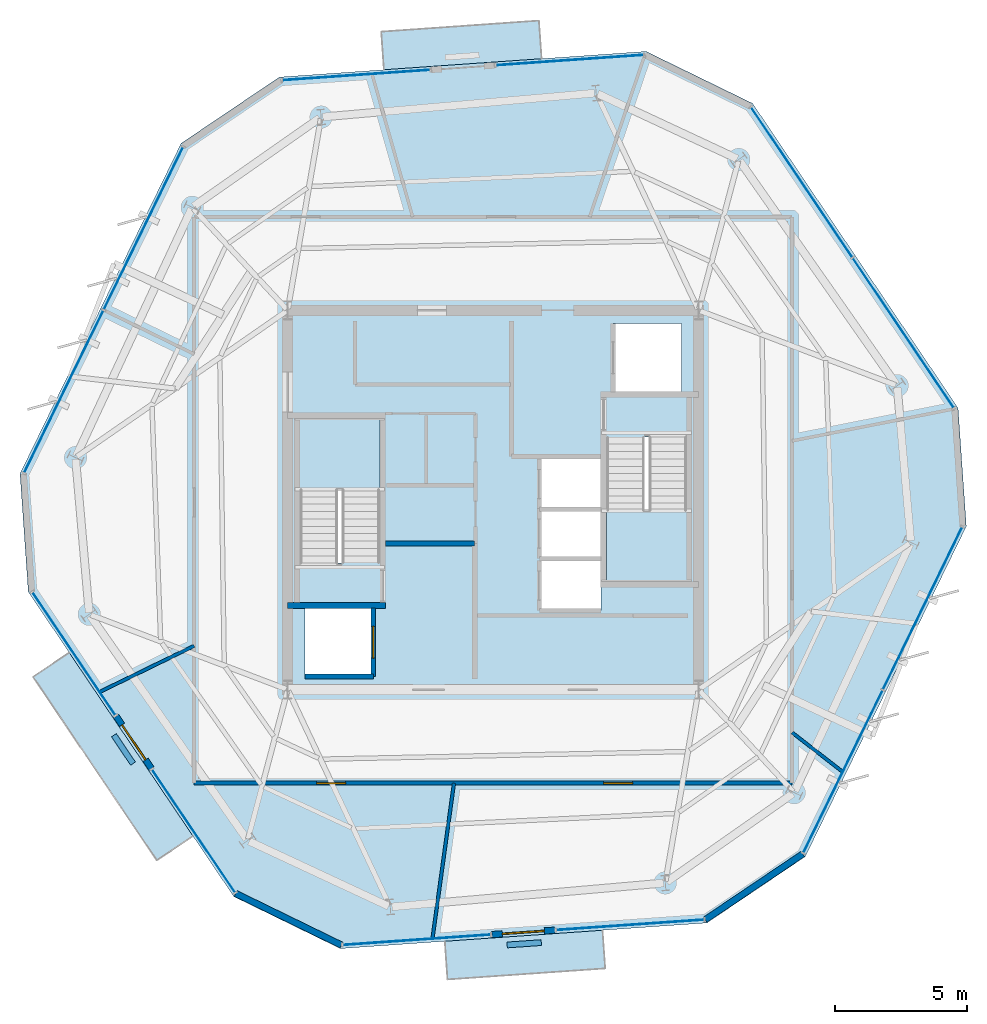
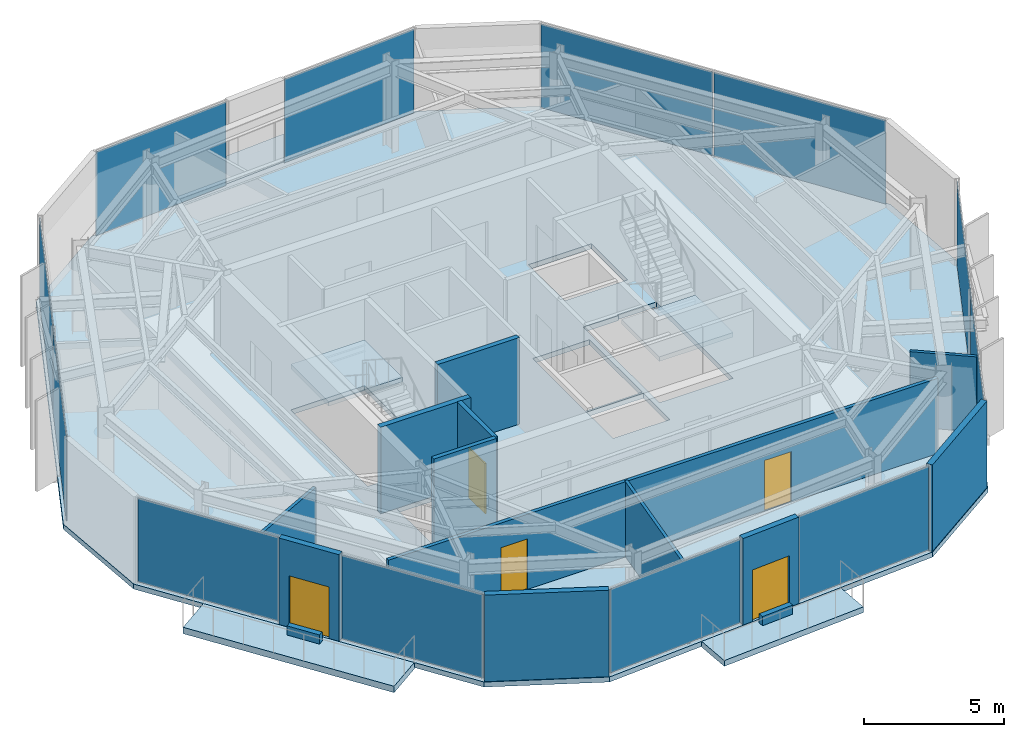
# One storey, part 6 of 13: 14 walls, 12 plates, 6 slabs, 5 doors, 5 openings, 11 elements without a shape of their own.
"""IFC4 building model written with IfcOpenShell, lengths in metres."""

from ifc_helpers import new_model, si_unit, direction, frame, frame_2d, origin, origin_2d, place, context, subcontext, project, spatial, polyline, rectangle, outline, extrude, material, layer, layer_set, type_object, element, fill, aggregate, save


model = new_model("IFC4")

# Units and contexts
model_context = context("Model", 3, precision=1e-05, world=origin(), true_north=direction((0.0, 1.0)))
body_context = subcontext(model_context, "Body", "Model", "MODEL_VIEW")
ifc_project = project(units=[si_unit("LENGTHUNIT", "METRE"), si_unit("AREAUNIT", "SQUARE_METRE"), si_unit("VOLUMEUNIT", "CUBIC_METRE"), si_unit("PLANEANGLEUNIT", "RADIAN"), si_unit("MASSUNIT", "GRAM", prefix="KILO")], contexts=[model_context])

# Site, building, storey
site_placement = place(None, origin())
site = spatial("IfcSite", under=ifc_project, at=site_placement, CompositionType="ELEMENT")
building_placement = place(site_placement, origin())
building = spatial("IfcBuilding", under=site, at=building_placement, Name="Kranzbogen Civic Tower", CompositionType="ELEMENT")
storey_placement = place(building_placement, frame((0.0, 0.0, 282.199951171875)))
storey = spatial("IfcBuildingStorey", under=building, at=storey_placement, Name="L68", CompositionType="ELEMENT", Elevation=282.199951171875)

# Slab
ifc_material_1 = material(Name="Concrete C40/50", Category="concrete")
ifc_layer_1 = layer(ifc_material_1, 0.219970703125, Name="Concrete C40/50")
ifc_layer_set_1 = layer_set([ifc_layer_1], Name="Concrete C40/50")
slab_type_1 = type_object("IfcSlabType", Name="Composite Upper Tower Floor Slab 220 mm", PredefinedType="FLOOR", material=ifc_layer_set_1)
slab_1_placement = place(storey_placement, frame((0.0, 0.0, -0.219970703125)))
element("IfcSlab", 1, at=slab_1_placement, inside=storey, type_object=slab_type_1, Name="L68 tower floor slab", PredefinedType="FLOOR", context=body_context, shape_type="SweptSolid", body=[
    extrude(outline(polyline([(30.802978515625, 42.030029296875), (16.884033203125, 41.055908203125), (13.153076171875, 38.5400390625), (7.037109375, 25.9990234375), (7.35009765625, 21.510009765625), (15.153076171875, 9.943115234375), (19.197021484375, 7.969970703125), (33.115966796875, 8.944091796875), (36.846923828125, 11.4599609375), (42.962890625, 24.0009765625), (42.64990234375, 28.489990234375), (34.846923828125, 40.056884765625), (30.802978515625, 42.030029296875)]), holes=[polyline([(17.85009765625, 20.89990234375), (20.449951171875, 20.89990234375), (20.449951171875, 18.300048828125), (17.85009765625, 18.300048828125), (17.85009765625, 20.89990234375)]), polyline([(29.10009765625, 22.699951171875), (29.10009765625, 20.800048828125), (26.75, 20.800048828125), (26.75, 22.699951171875), (29.10009765625, 22.699951171875)]), polyline([(29.10009765625, 24.64990234375), (29.10009765625, 22.77490234375), (26.75, 22.77490234375), (26.75, 24.64990234375), (26.75, 24.675048828125), (26.75, 26.550048828125), (29.10009765625, 26.550048828125), (29.10009765625, 24.675048828125), (29.10009765625, 24.64990234375)]), polyline([(29.300048828125, 27.340087890625), (30.75, 27.340087890625), (30.75, 27.39990234375), (32.35009765625, 27.39990234375), (32.35009765625, 21.89990234375), (29.300048828125, 21.89990234375), (29.300048828125, 27.340087890625)]), polyline([(20.699951171875, 22.659912109375), (19.25, 22.659912109375), (19.25, 22.60009765625), (17.64990234375, 22.60009765625), (17.64990234375, 28.10009765625), (20.699951171875, 28.10009765625), (20.699951171875, 22.659912109375)]), polyline([(32.14990234375, 31.699951171875), (32.14990234375, 29.10009765625), (29.550048828125, 29.10009765625), (29.550048828125, 31.699951171875), (32.14990234375, 31.699951171875)])]), origin(), (0.0, 0.0, 1.0), 0.219970703125),
])

# Curtain wall, plate
ifc_material_2 = material(Name="Pale Anodised Aluminium", Category="aluminium")
ifc_layer_2 = layer(ifc_material_2, 0.219970703125, Name="Pale Anodised Aluminium")
ifc_layer_set_2 = layer_set([ifc_layer_2], Name="Pale Anodised Aluminium")
curtain_wall_type = type_object("IfcCurtainWallType", Name="Zone 4 Stick Curtain Wall System CW-05", PredefinedType="USERDEFINED", material=ifc_layer_set_2)
curtain_wall_1_placement = place(storey_placement, origin())
curtain_wall_1 = element("IfcCurtainWall", 2, at=curtain_wall_1_placement, inside=storey, type_object=curtain_wall_type, Name="L68 curtain wall CW-L68-F1-S1", ObjectType="STICK CURTAIN WALL", PredefinedType="USERDEFINED")
ifc_material_3 = material(Name="Low-E Triple Glazing Glass", Category="glass")
ifc_layer_3 = layer(ifc_material_3, 0.028076171875, Name="Low-E Triple Glazing Glass")
ifc_layer_set_3 = layer_set([ifc_layer_3], Name="Low-E Triple Glazing Glass")
plate_type = type_object("IfcPlateType", Name="Insulated Low-E Glazing Panel 28 mm", PredefinedType="CURTAIN_PANEL", material=ifc_layer_set_3)
plate_1_placement = place(storey_placement, frame((27.903564453125, 41.697509765625, 0.06005859375), z_axis=(0.0, 0.0, 1.0), x_axis=(-0.997566629401, -0.069719580503, 0.0)))
plate_1 = element("IfcPlate", 3, at=plate_1_placement, type_object=plate_type, Name="CW-05 panel 1.1", PredefinedType="CURTAIN_PANEL", context=body_context, shape_type="SweptSolid", body=[
    extrude(rectangle(XDim=5.60302734375, YDim=0.028076171875, at=origin_2d()), origin(), (0.0, 0.0, 1.0), 3.659912109375),
])
aggregate(curtain_wall_1, [plate_1])

curtain_wall_2_placement = place(storey_placement, origin())
curtain_wall_2 = element("IfcCurtainWall", 4, at=curtain_wall_2_placement, inside=storey, type_object=curtain_wall_type, Name="L68 curtain wall CW-L68-F1-S2", ObjectType="STICK CURTAIN WALL", PredefinedType="USERDEFINED")
plate_2_placement = place(storey_placement, frame((19.801025390625, 41.130615234375, 0.06005859375), z_axis=(0.0, 0.0, 1.0), x_axis=(-0.997565779819, -0.069731735481, 0.0)))
plate_2 = element("IfcPlate", 5, at=plate_2_placement, type_object=plate_type, Name="CW-05 panel 1.1", PredefinedType="CURTAIN_PANEL", context=body_context, shape_type="SweptSolid", body=[
    extrude(rectangle(XDim=5.601806640625, YDim=0.028076171875, at=origin_2d()), origin(), (0.0, 0.0, 1.0), 3.659912109375),
])
aggregate(curtain_wall_2, [plate_2])

# Curtain wall, plates
curtain_wall_3_placement = place(storey_placement, origin())
curtain_wall_3 = element("IfcCurtainWall", 6, at=curtain_wall_3_placement, inside=storey, type_object=curtain_wall_type, Name="L68 curtain wall CW-L68-F2", ObjectType="STICK CURTAIN WALL", PredefinedType="USERDEFINED")
plate_3_placement = place(storey_placement, frame((11.721435546875, 35.310546875, 0.06005859375), z_axis=(0.0, 0.0, 1.0), x_axis=(-0.438292703672, -0.898832301327, 0.0)))
plate_3 = element("IfcPlate", 7, at=plate_3_placement, type_object=plate_type, Name="CW-05 panel 1.1", PredefinedType="CURTAIN_PANEL", context=body_context, shape_type="SweptSolid", body=[
    extrude(rectangle(XDim=6.832275390625, YDim=0.028076171875, at=origin_2d()), origin(), (0.0, 0.0, 1.0), 3.659912109375),
])
plate_4_placement = place(storey_placement, frame((8.70068359375, 29.115478515625, 0.06005859375), z_axis=(0.0, 0.0, 1.0), x_axis=(-0.438292703672, -0.898832301327, 0.0)))
plate_4 = element("IfcPlate", 8, at=plate_4_placement, type_object=plate_type, Name="CW-05 panel 2.1", PredefinedType="CURTAIN_PANEL", context=body_context, shape_type="SweptSolid", body=[
    extrude(rectangle(XDim=6.832275390625, YDim=0.028076171875, at=origin_2d()), origin(), (0.0, 0.0, 1.0), 3.659912109375),
])
aggregate(curtain_wall_3, [plate_3, plate_4])

# Curtain wall, plate
curtain_wall_4_placement = place(storey_placement, origin())
curtain_wall_4 = element("IfcCurtainWall", 9, at=curtain_wall_4_placement, inside=storey, type_object=curtain_wall_type, Name="L68 curtain wall CW-L68-F3-S1", ObjectType="STICK CURTAIN WALL", PredefinedType="USERDEFINED")
plate_5_placement = place(storey_placement, frame((9.0869140625, 19.16552734375, 0.06005859375), z_axis=(0.0, 0.0, 1.0), x_axis=(0.5592897334, -0.828972251715, 0.0)))
plate_5 = element("IfcPlate", 10, at=plate_5_placement, type_object=plate_type, Name="CW-05 panel 1.1", PredefinedType="CURTAIN_PANEL", context=body_context, shape_type="SweptSolid", body=[
    extrude(rectangle(XDim=5.6015625, YDim=0.028076171875, at=origin_2d()), origin(), (0.0, 0.0, 1.0), 3.659912109375),
])
aggregate(curtain_wall_4, [plate_5])

curtain_wall_5_placement = place(storey_placement, origin())
curtain_wall_5 = element("IfcCurtainWall", 11, at=curtain_wall_5_placement, inside=storey, type_object=curtain_wall_type, Name="L68 curtain wall CW-L68-F3-S2", ObjectType="STICK CURTAIN WALL", PredefinedType="USERDEFINED")
plate_6_placement = place(storey_placement, frame((13.62939453125, 12.431884765625, 0.06005859375), z_axis=(0.0, 0.0, 1.0), x_axis=(0.559328796554, -0.828945895307, 0.0)))
plate_6 = element("IfcPlate", 12, at=plate_6_placement, type_object=plate_type, Name="CW-05 panel 1.1", PredefinedType="CURTAIN_PANEL", context=body_context, shape_type="SweptSolid", body=[
    extrude(rectangle(XDim=5.60302734375, YDim=0.028076171875, at=origin_2d()), origin(), (0.0, 0.0, 1.0), 3.659912109375),
])
aggregate(curtain_wall_5, [plate_6])

curtain_wall_6_placement = place(storey_placement, origin())
curtain_wall_6 = element("IfcCurtainWall", 13, at=curtain_wall_6_placement, inside=storey, type_object=curtain_wall_type, Name="L68 curtain wall CW-L68-F4-S1", ObjectType="STICK CURTAIN WALL", PredefinedType="USERDEFINED")
plate_7_placement = place(storey_placement, frame((22.096435546875, 8.302490234375, 0.06005859375), z_axis=(0.0, 0.0, 1.0), x_axis=(0.997566629401, 0.069719580503, 0.0)))
plate_7 = element("IfcPlate", 14, at=plate_7_placement, type_object=plate_type, Name="CW-05 panel 1.1", PredefinedType="CURTAIN_PANEL", context=body_context, shape_type="SweptSolid", body=[
    extrude(rectangle(XDim=5.60302734375, YDim=0.028076171875, at=origin_2d()), origin(), (0.0, 0.0, 1.0), 3.659912109375),
])
aggregate(curtain_wall_6, [plate_7])

curtain_wall_7_placement = place(storey_placement, origin())
curtain_wall_7 = element("IfcCurtainWall", 15, at=curtain_wall_7_placement, inside=storey, type_object=curtain_wall_type, Name="L68 curtain wall CW-L68-F4-S2", ObjectType="STICK CURTAIN WALL", PredefinedType="USERDEFINED")
plate_8_placement = place(storey_placement, frame((30.198974609375, 8.869384765625, 0.06005859375), z_axis=(0.0, 0.0, 1.0), x_axis=(0.997565779819, 0.069731735481, 0.0)))
plate_8 = element("IfcPlate", 16, at=plate_8_placement, type_object=plate_type, Name="CW-05 panel 1.1", PredefinedType="CURTAIN_PANEL", context=body_context, shape_type="SweptSolid", body=[
    extrude(rectangle(XDim=5.601806640625, YDim=0.028076171875, at=origin_2d()), origin(), (0.0, 0.0, 1.0), 3.659912109375),
])
aggregate(curtain_wall_7, [plate_8])

# Curtain wall, plates
curtain_wall_8_placement = place(storey_placement, origin())
curtain_wall_8 = element("IfcCurtainWall", 17, at=curtain_wall_8_placement, inside=storey, type_object=curtain_wall_type, Name="L68 curtain wall CW-L68-F5", ObjectType="STICK CURTAIN WALL", PredefinedType="USERDEFINED")
plate_9_placement = place(storey_placement, frame((38.278564453125, 14.689453125, 0.06005859375), z_axis=(0.0, 0.0, 1.0), x_axis=(0.438292703672, 0.898832301327, 0.0)))
plate_9 = element("IfcPlate", 18, at=plate_9_placement, type_object=plate_type, Name="CW-05 panel 1.1", PredefinedType="CURTAIN_PANEL", context=body_context, shape_type="SweptSolid", body=[
    extrude(rectangle(XDim=6.832275390625, YDim=0.028076171875, at=origin_2d()), origin(), (0.0, 0.0, 1.0), 3.659912109375),
])
plate_10_placement = place(storey_placement, frame((41.29931640625, 20.884521484375, 0.06005859375), z_axis=(0.0, 0.0, 1.0), x_axis=(0.438292703672, 0.898832301327, 0.0)))
plate_10 = element("IfcPlate", 19, at=plate_10_placement, type_object=plate_type, Name="CW-05 panel 2.1", PredefinedType="CURTAIN_PANEL", context=body_context, shape_type="SweptSolid", body=[
    extrude(rectangle(XDim=6.832275390625, YDim=0.028076171875, at=origin_2d()), origin(), (0.0, 0.0, 1.0), 3.659912109375),
])
aggregate(curtain_wall_8, [plate_9, plate_10])

curtain_wall_9_placement = place(storey_placement, origin())
curtain_wall_9 = element("IfcCurtainWall", 20, at=curtain_wall_9_placement, inside=storey, type_object=curtain_wall_type, Name="L68 curtain wall CW-L68-F6", ObjectType="STICK CURTAIN WALL", PredefinedType="USERDEFINED")
plate_11_placement = place(storey_placement, frame((40.56884765625, 31.3447265625, 0.06005859375), z_axis=(0.0, 0.0, 1.0), x_axis=(-0.559275594958, 0.828981790442, 0.0)))
plate_11 = element("IfcPlate", 21, at=plate_11_placement, type_object=plate_type, Name="CW-05 panel 1.1", PredefinedType="CURTAIN_PANEL", context=body_context, shape_type="SweptSolid", body=[
    extrude(rectangle(XDim=6.832275390625, YDim=0.028076171875, at=origin_2d()), origin(), (0.0, 0.0, 1.0), 3.659912109375),
])
plate_12_placement = place(storey_placement, frame((36.714111328125, 37.058349609375, 0.06005859375), z_axis=(0.0, 0.0, 1.0), x_axis=(-0.559275594958, 0.828981790442, 0.0)))
plate_12 = element("IfcPlate", 22, at=plate_12_placement, type_object=plate_type, Name="CW-05 panel 2.1", PredefinedType="CURTAIN_PANEL", context=body_context, shape_type="SweptSolid", body=[
    extrude(rectangle(XDim=6.832275390625, YDim=0.028076171875, at=origin_2d()), origin(), (0.0, 0.0, 1.0), 3.659912109375),
])
aggregate(curtain_wall_9, [plate_11, plate_12])

# Stair, slab
ifc_material_4 = material(Name="Precast concrete C40/50", Category="concrete")
stair_type_1 = type_object("IfcStairType", Name="Tower Core Pressurized Dogleg Stair 1450", PredefinedType="HALF_TURN_STAIR", material=ifc_material_4)
stair_1_placement = place(storey_placement, origin())
stair_1 = element("IfcStair", 23, at=stair_1_placement, inside=storey, type_object=stair_type_1, Name="L68 Tower Core Pressurized Stair 1", PredefinedType="HALF_TURN_STAIR")
ifc_layer_4 = layer(ifc_material_4, 0.199951171875, Name="Precast concrete C40/50")
ifc_layer_set_4 = layer_set([ifc_layer_4], Name="Precast concrete C40/50")
slab_type_2 = type_object("IfcSlabType", Name="Precast Concrete Stair Landing Slab 200 mm", PredefinedType="LANDING", material=ifc_layer_set_4)
slab_2_placement = place(storey_placement, frame((0.0, 0.0, 1.800048828125)))
slab_2 = element("IfcSlab", 24, at=slab_2_placement, type_object=slab_type_2, Name="ST-T1 landing 1", PredefinedType="LANDING", context=body_context, shape_type="SweptSolid", body=[
    extrude(outline(polyline([(20.699951171875, 25.39990234375), (20.699951171875, 28.10009765625), (17.64990234375, 28.10009765625), (17.64990234375, 25.39990234375), (20.699951171875, 25.39990234375)])), origin(), (0.0, 0.0, 1.0), 0.199951171875),
])
aggregate(stair_1, [slab_2])

stair_type_2 = type_object("IfcStairType", Name="Tower Core Secondary Dogleg Stair 1450", PredefinedType="HALF_TURN_STAIR", material=ifc_material_4)
stair_2_placement = place(storey_placement, origin())
stair_2 = element("IfcStair", 25, at=stair_2_placement, inside=storey, type_object=stair_type_2, Name="L68 Tower Core Pressurized Stair 2", PredefinedType="HALF_TURN_STAIR")
slab_3_placement = place(storey_placement, frame((0.0, 0.0, 1.800048828125)))
slab_3 = element("IfcSlab", 26, at=slab_3_placement, type_object=slab_type_2, Name="ST-T2 landing 1", PredefinedType="LANDING", context=body_context, shape_type="SweptSolid", body=[
    extrude(outline(polyline([(29.300048828125, 24.60009765625), (29.300048828125, 21.89990234375), (32.35009765625, 21.89990234375), (32.35009765625, 24.60009765625), (29.300048828125, 24.60009765625)])), origin(), (0.0, 0.0, 1.0), 0.199951171875),
])
aggregate(stair_2, [slab_3])

# Slabs
ifc_layer_5 = layer(ifc_material_1, 0.280029296875, Name="Concrete C40/50")
ifc_layer_set_5 = layer_set([ifc_layer_5], Name="Concrete C40/50")
slab_type_3 = type_object("IfcSlabType", Name="Spiral Terrace Cantilevered Slab 280 mm", PredefinedType="FLOOR", material=ifc_layer_set_5)
slab_4_placement = place(storey_placement, frame((0.0, 0.0, -0.280029296875)))
element("IfcSlab", 27, at=slab_4_placement, inside=storey, type_object=slab_type_3, Name="L68 cantilevered spiral terrace L68-ST", PredefinedType="FLOOR", context=body_context, shape_type="SweptSolid", body=[
    extrude(outline(polyline([(8.903076171875, 19.208984375), (13.60009765625, 12.2451171875), (12.23193359375, 11.322021484375), (7.534912109375, 18.285888671875), (8.903076171875, 19.208984375)])), origin(), (0.0, 0.0, 1.0), 0.280029296875),
])
ifc_layer_6 = layer(ifc_material_1, 0.25, Name="Concrete C40/50")
ifc_layer_set_6 = layer_set([ifc_layer_6], Name="Concrete C40/50")
slab_type_4 = type_object("IfcSlabType", Name="Tree Balcony Cantilevered Slab 250 mm", PredefinedType="FLOOR", material=ifc_layer_set_6)
slab_5_placement = place(storey_placement, frame((0.0, 0.0, -0.25)))
element("IfcSlab", 28, at=slab_5_placement, inside=storey, type_object=slab_type_4, Name="L68 cantilevered tree balcony L68-TB1", PredefinedType="FLOOR", context=body_context, shape_type="SweptSolid", body=[
    extrude(outline(polyline([(23.1640625, 8.248046875), (29.14892578125, 8.666015625), (29.25, 7.219970703125), (23.264892578125, 6.802001953125), (23.1640625, 8.248046875)])), origin(), (0.0, 0.0, 1.0), 0.25),
])
slab_6_placement = place(storey_placement, frame((0.0, 0.0, -0.25)))
element("IfcSlab", 29, at=slab_6_placement, inside=storey, type_object=slab_type_4, Name="L68 cantilevered tree balcony L68-TB2", PredefinedType="FLOOR", context=body_context, shape_type="SweptSolid", body=[
    extrude(outline(polyline([(26.8359375, 41.751953125), (20.85107421875, 41.333984375), (20.75, 42.780029296875), (26.735107421875, 43.197998046875), (26.8359375, 41.751953125)])), origin(), (0.0, 0.0, 1.0), 0.25),
])

# Wall, openings, doors
ifc_material_5 = material(Name="Double-Stud Acoustic Gypsum Partition")
ifc_layer_7 = layer(ifc_material_5, 0.14990234375, Name="Double-Stud Acoustic Gypsum Partition")
ifc_layer_set_7 = layer_set([ifc_layer_7], Name="Double-Stud Acoustic Gypsum Partition")
wall_type_1 = type_object("IfcWallType", Name="Acoustic Corridor and Clinical Partition 150 mm", PredefinedType="PARTITIONING", material=ifc_layer_set_7)
wall_1_placement = place(storey_placement, frame((36.35009765625, 14.25, 0.0), z_axis=(0.0, 0.0, 1.0), x_axis=(-1.0, 0.0, 0.0)))
wall_1 = element("IfcWall", 30, at=wall_1_placement, inside=storey, type_object=wall_type_1, Name="L68 corridor partition 03", PredefinedType="PARTITIONING", context=body_context, shape_type="SweptSolid", body=[
    extrude(rectangle(XDim=22.7001953125, YDim=0.14990234375, at=frame_2d((11.35009765625, 0.0))), origin(), (0.0, 0.0, 1.0), 3.280029296875),
])
opening_1_placement = place(wall_1_placement, frame((16.949951171875, 0.0, 0.0)))
opening_1 = element("IfcOpeningElement", 31, at=opening_1_placement, cuts=wall_1, Name="Opening D-COR60", PredefinedType="OPENING", context=body_context, shape_type="SweptSolid", body=[
    extrude(rectangle(XDim=1.10009765625, YDim=2.199951171875, at=frame_2d((0.550048828125, 1.10009765625))), frame((0.0, 0.0849609375, 0.0), z_axis=(0.0, -1.0, 0.0), x_axis=(1.0, 0.0, 0.0)), (0.0, 0.0, 1.0), 0.169921875),
])
opening_2_placement = place(wall_1_placement, frame((6.056884765625, 0.0, 0.0)))
opening_2 = element("IfcOpeningElement", 32, at=opening_2_placement, cuts=wall_1, Name="Opening D-COR60", PredefinedType="OPENING", context=body_context, shape_type="SweptSolid", body=[
    extrude(rectangle(XDim=1.10009765625, YDim=2.199951171875, at=frame_2d((0.550048828125, 1.10009765625))), frame((0.0, 0.0849609375, 0.0), z_axis=(0.0, -1.0, 0.0), x_axis=(1.0, 0.0, 0.0)), (0.0, 0.0, 1.0), 0.169921875),
])
ifc_material_6 = material(Name="Oak Timber and Fire Core", Category="wood")
door_type_1 = type_object("IfcDoorType", Name="Corridor Acoustic Fire Door 1100x2200", OperationType="NOTDEFINED", PredefinedType="DOOR", material=ifc_material_6)
door_1_placement = place(opening_1_placement, origin())
door_1 = element("IfcDoor", 33, at=door_1_placement, inside=storey, type_object=door_type_1, Name="L68 Municipal Exhibition Showroom door", OperationType="SINGLE_SWING_LEFT", OverallHeight=2.199951171875, OverallWidth=1.10009765625, PredefinedType="DOOR", context=body_context, shape_type="SweptSolid", body=[
    extrude(rectangle(XDim=1.10009765625, YDim=2.199951171875, at=frame_2d((0.550048828125, 1.10009765625))), frame((0.0, 0.02490234375, 0.0), z_axis=(0.0, -1.0, 0.0), x_axis=(1.0, 0.0, 0.0)), (0.0, 0.0, 1.0), 0.050048828125),
])
fill(opening_1, door_1)
door_2_placement = place(opening_2_placement, origin())
door_2 = element("IfcDoor", 34, at=door_2_placement, inside=storey, type_object=door_type_1, Name="L68 Licensing Information Kiosk door", OperationType="SINGLE_SWING_RIGHT", OverallHeight=2.199951171875, OverallWidth=1.10009765625, PredefinedType="DOOR", context=body_context, shape_type="SweptSolid", body=[
    extrude(rectangle(XDim=1.10009765625, YDim=2.199951171875, at=frame_2d((0.550048828125, 1.10009765625))), frame((0.0, 0.02490234375, 0.0), z_axis=(0.0, -1.0, 0.0), x_axis=(1.0, 0.0, 0.0)), (0.0, 0.0, 1.0), 0.050048828125),
])
fill(opening_2, door_2)

# Walls
ifc_material_7 = material(Name="Insulated Metal-Stud Gypsum Partition")
ifc_layer_8 = layer(ifc_material_7, 0.125, Name="Insulated Metal-Stud Gypsum Partition")
ifc_layer_set_8 = layer_set([ifc_layer_8], Name="Insulated Metal-Stud Gypsum Partition")
wall_type_2 = type_object("IfcWallType", Name="Acoustic Inter-Room Partition 125 mm", PredefinedType="PARTITIONING", material=ifc_layer_set_8)
wall_2_placement = place(storey_placement, frame((13.64990234375, 19.464111328125, 0.0), z_axis=(0.0, 0.0, 1.0), x_axis=(-0.898688096622, -0.438588309226, 0.0)))
element("IfcWall", 35, at=wall_2_placement, inside=storey, type_object=wall_type_2, Name="L68 radial room partition 03", PredefinedType="PARTITIONING", context=body_context, shape_type="SweptSolid", body=[
    extrude(rectangle(XDim=3.97216796875, YDim=0.125, at=frame_2d((1.986083984375, 0.0))), origin(), (0.0, 0.0, 1.0), 3.280029296875),
])
wall_3_placement = place(storey_placement, frame((23.511962890625, 14.25, 0.0), z_axis=(0.0, 0.0, 1.0), x_axis=(-0.137056988253, -0.990563164049, 0.0)))
element("IfcWall", 36, at=wall_3_placement, inside=storey, type_object=wall_type_2, Name="L68 radial room partition 04", PredefinedType="PARTITIONING", context=body_context, shape_type="SweptSolid", body=[
    extrude(rectangle(XDim=5.946044921875, YDim=0.125, at=frame_2d((2.97314453125, 0.0))), origin(), (0.0, 0.0, 1.0), 3.280029296875),
])
wall_4_placement = place(storey_placement, frame((36.35009765625, 16.1708984375, 0.0), z_axis=(0.0, 0.0, 1.0), x_axis=(0.78932503786, -0.613975557011, 0.0)))
element("IfcWall", 37, at=wall_4_placement, inside=storey, type_object=wall_type_2, Name="L68 radial room partition 05", PredefinedType="PARTITIONING", context=body_context, shape_type="SweptSolid", body=[
    extrude(rectangle(XDim=2.41845703125, YDim=0.125, at=frame_2d((1.209228515625, 0.0))), origin(), (0.0, 0.0, 1.0), 3.280029296875),
])
ifc_material_8 = material(Name="Architectural Precast Terracotta Concrete C40/50", Category="masonry")
ifc_layer_9 = layer(ifc_material_8, 0.219970703125, Name="Architectural Precast Terracotta Concrete C40/50")
ifc_layer_set_9 = layer_set([ifc_layer_9], Name="Architectural Precast Terracotta Concrete C40/50")
wall_type_3 = type_object("IfcWallType", Name="Architectural Tree Planter Kerb Wall 220 mm", PredefinedType="USERDEFINED", material=ifc_layer_set_9)
wall_5_placement = place(storey_placement, frame((25.530029296875, 8.10791015625, 0.0), z_axis=(0.0, 0.0, 1.0), x_axis=(0.997592367101, 0.069350335995, 0.0)))
element("IfcWall", 38, at=wall_5_placement, inside=storey, type_object=wall_type_3, Name="L68 landscaped tree balcony planter L68-TB1", ObjectType="PLANTER_WALL", PredefinedType="USERDEFINED", context=body_context, shape_type="SweptSolid", body=[
    extrude(rectangle(XDim=1.299072265625, YDim=0.219970703125, at=frame_2d((0.6494140625, 0.0))), origin(), (0.0, 0.0, 1.0), 0.400146484375),
])
wall_6_placement = place(storey_placement, frame((10.60107421875, 16.072021484375, 0.0), z_axis=(0.0, 0.0, 1.0), x_axis=(0.558465865857, -0.829527502059, 0.0)))
element("IfcWall", 39, at=wall_6_placement, inside=storey, type_object=wall_type_3, Name="L68 landscaped tree balcony planter L68-ST", ObjectType="PLANTER_WALL", PredefinedType="USERDEFINED", context=body_context, shape_type="SweptSolid", body=[
    extrude(rectangle(XDim=1.2998046875, YDim=0.219970703125, at=frame_2d((0.64990234375, 0.0))), origin(), (0.0, 0.0, 1.0), 0.400146484375),
])
ifc_material_9 = material(Name="Concrete C45/55", Category="concrete")
ifc_layer_10 = layer(ifc_material_9, 0.219970703125, Name="Concrete C45/55")
ifc_layer_set_10 = layer_set([ifc_layer_10], Name="Concrete C45/55")
wall_type_4 = type_object("IfcWallType", Name="Core Internal Stair Structural Wall 220 mm", PredefinedType="SOLIDWALL", material=ifc_layer_set_10)
wall_7_placement = place(storey_placement, frame((17.199951171875, 20.989990234375, 0.0), z_axis=(0.0, 0.0, 1.0), x_axis=(1.0, 0.0, 0.0)))
element("IfcWall", 40, at=wall_7_placement, inside=storey, type_object=wall_type_4, Name="L68 ST-T1 South structural stair wall", PredefinedType="SOLIDWALL", context=body_context, shape_type="SweptSolid", body=[
    extrude(rectangle(XDim=3.719970703125, YDim=0.219970703125, at=frame_2d((1.85986328125, 0.0))), origin(), (0.0, 0.0, 1.0), 3.780029296875),
])
ifc_material_10 = material(Name="Gypsum Fireboard and Concrete Block", Category="concrete")
ifc_layer_11 = layer(ifc_material_10, 0.199951171875, Name="Gypsum Fireboard and Concrete Block")
ifc_layer_set_11 = layer_set([ifc_layer_11], Name="Gypsum Fireboard and Concrete Block")
wall_type_5 = type_object("IfcWallType", Name="Fire-Rated Exit Passageway and Stair Wall 200 mm", PredefinedType="PARTITIONING", material=ifc_layer_set_11)
wall_8_placement = place(storey_placement, frame((20.919921875, 23.35009765625, 0.0), z_axis=(0.0, 0.0, 1.0), x_axis=(1.0, 0.0, 0.0)))
element("IfcWall", 41, at=wall_8_placement, inside=storey, type_object=wall_type_5, Name="L68 West firefighting lobby North wall", PredefinedType="PARTITIONING", context=body_context, shape_type="SweptSolid", body=[
    extrude(rectangle(XDim=3.380126953125, YDim=0.199951171875, at=frame_2d((1.68994140625, 0.0))), origin(), (0.0, 0.0, 1.0), 3.780029296875),
])

# Wall, opening, door
ifc_material_11 = material(Name="Gypsum Fireboard Shaftliner")
ifc_layer_12 = layer(ifc_material_11, 0.175048828125, Name="Gypsum Fireboard Shaftliner")
ifc_layer_set_12 = layer_set([ifc_layer_12], Name="Gypsum Fireboard Shaftliner")
wall_type_6 = type_object("IfcWallType", Name="Fire-Rated Lift and Service Shaft Wall 175 mm", PredefinedType="PARTITIONING", material=ifc_layer_set_12)
wall_9_placement = place(storey_placement, frame((20.449951171875, 18.300048828125, 0.0), z_axis=(0.0, 0.0, 1.0), x_axis=(0.0, 1.0, 0.0)))
wall_9 = element("IfcWall", 42, at=wall_9_placement, inside=storey, type_object=wall_type_6, Name="L68 lift FF-01 landing wall", PredefinedType="PARTITIONING", context=body_context, shape_type="SweptSolid", body=[
    extrude(rectangle(XDim=2.599853515625, YDim=0.175048828125, at=frame_2d((1.2998046875, 0.0))), origin(), (0.0, 0.0, 1.0), 3.780029296875),
])
opening_3_placement = place(wall_9_placement, frame((0.699951171875, 0.0, 0.0)))
opening_3 = element("IfcOpeningElement", 43, at=opening_3_placement, cuts=wall_9, Name="Opening LD-FF-01", PredefinedType="OPENING", context=body_context, shape_type="SweptSolid", body=[
    extrude(rectangle(XDim=1.199951171875, YDim=2.199951171875, at=frame_2d((0.60009765625, 1.10009765625))), frame((0.0, 0.09765625, 0.0), z_axis=(0.0, -1.0, 0.0), x_axis=(1.0, 0.0, 0.0)), (0.0, 0.0, 1.0), 0.195068359375),
])
door_type_2 = type_object("IfcDoorType", Name="Firefighting and Stretcher Lift Sliding Landing Door 1200x2200", OperationType="DOUBLE_DOOR_SLIDING", PredefinedType="DOOR", material=ifc_material_2)
door_3_placement = place(opening_3_placement, origin())
door_3 = element("IfcDoor", 44, at=door_3_placement, inside=storey, type_object=door_type_2, Name="L68 lift FF-01 sliding landing door", OperationType="DOUBLE_DOOR_SLIDING", OverallHeight=2.199951171875, OverallWidth=1.199951171875, PredefinedType="DOOR", context=body_context, shape_type="SweptSolid", body=[
    extrude(rectangle(XDim=1.199951171875, YDim=2.199951171875, at=frame_2d((0.60009765625, 1.10009765625))), frame((0.0, 0.02490234375, 0.0), z_axis=(0.0, -1.0, 0.0), x_axis=(1.0, 0.0, 0.0)), (0.0, 0.0, 1.0), 0.050048828125),
])
fill(opening_3, door_3)

# Wall
wall_10_placement = place(storey_placement, frame((17.85009765625, 18.300048828125, 0.0), z_axis=(0.0, 0.0, 1.0), x_axis=(1.0, 0.0, 0.0)))
element("IfcWall", 45, at=wall_10_placement, inside=storey, type_object=wall_type_6, Name="L68 lift FF-01 side wall", PredefinedType="PARTITIONING", context=body_context, shape_type="SweptSolid", body=[
    extrude(rectangle(XDim=2.599853515625, YDim=0.175048828125, at=frame_2d((1.2998046875, 0.0))), origin(), (0.0, 0.0, 1.0), 3.780029296875),
])

# Wall, opening, door
ifc_layer_13 = layer(ifc_material_2, 0.239990234375, Name="Pale Anodised Aluminium")
ifc_layer_set_13 = layer_set([ifc_layer_13], Name="Pale Anodised Aluminium")
wall_type_7 = type_object("IfcWallType", Name="Insulated Aluminium Facade Portal Wall 240 mm", PredefinedType="STANDARD", material=ifc_layer_set_13)
wall_11_placement = place(storey_placement, frame((10.68701171875, 16.7939453125, 0.0), z_axis=(0.0, 0.0, 1.0), x_axis=(0.559128660759, -0.82908090119, 0.0)))
wall_11 = element("IfcWall", 46, at=wall_11_placement, inside=storey, type_object=wall_type_7, Name="L68 exterior entrance portal wall 1", PredefinedType="STANDARD", context=body_context, shape_type="SweptSolid", body=[
    extrude(rectangle(XDim=2.400146484375, YDim=0.239990234375, at=frame_2d((1.2001953125, 0.0))), origin(), (0.0, 0.0, 1.0), 3.780029296875),
])
opening_4_placement = place(wall_11_placement, frame((0.39990234375, 0.0, 0.0)))
opening_4 = element("IfcOpeningElement", 47, at=opening_4_placement, cuts=wall_11, Name="Opening D-TER", PredefinedType="OPENING", context=body_context, shape_type="SweptSolid", body=[
    extrude(rectangle(XDim=1.60009765625, YDim=2.25, at=frame_2d((0.800048828125, 1.125))), frame((0.0, 0.1298828125, 0.0), z_axis=(0.0, -1.0, 0.0), x_axis=(1.0, 0.0, 0.0)), (0.0, 0.0, 1.0), 0.260009765625),
])
ifc_material_12 = material(Name="Anodised Bronze and Triple Glass", Category="glass")
door_type_3 = type_object("IfcDoorType", Name="Glazed Terrace and Balcony Double Door 1600x2250", OperationType="DOUBLE_DOOR_SINGLE_SWING", PredefinedType="DOOR", material=ifc_material_12)
door_4_placement = place(opening_4_placement, frame((1.60009765625, 0.0, 0.0), z_axis=(0.0, 0.0, 1.0), x_axis=(-1.0, 0.0, 0.0)))
door_4 = element("IfcDoor", 48, at=door_4_placement, inside=storey, type_object=door_type_3, Name="L68 spiral terrace access door L68-ST", OperationType="DOUBLE_DOOR_SINGLE_SWING", OverallHeight=2.25, OverallWidth=1.60009765625, PredefinedType="DOOR", context=body_context, shape_type="SweptSolid", body=[
    extrude(rectangle(XDim=1.60009765625, YDim=2.25, at=frame_2d((0.800048828125, 1.125))), frame((0.0, 0.02490234375, 0.0), z_axis=(0.0, -1.0, 0.0), x_axis=(1.0, 0.0, 0.0)), (0.0, 0.0, 1.0), 0.050048828125),
])
fill(opening_4, door_4)

# Wall
wall_12_placement = place(storey_placement, frame((15.22998046875, 10.06005859375, 0.0), z_axis=(0.0, 0.0, 1.0), x_axis=(0.898770548201, -0.438419321754, 0.0)))
element("IfcWall", 49, at=wall_12_placement, inside=storey, type_object=wall_type_7, Name="L68 chamfered corner facade spandrel 3", PredefinedType="STANDARD", context=body_context, shape_type="SweptSolid", body=[
    extrude(rectangle(XDim=4.4638671875, YDim=0.239990234375, at=frame_2d((2.23193359375, 0.0))), origin(), (0.0, 0.0, 1.0), 3.780029296875),
])

# Wall, opening, door
wall_13_placement = place(storey_placement, frame((24.950927734375, 8.501953125, 0.0), z_axis=(0.0, 0.0, 1.0), x_axis=(0.99754775803, 0.069989073784, 0.0)))
wall_13 = element("IfcWall", 50, at=wall_13_placement, inside=storey, type_object=wall_type_7, Name="L68 exterior entrance portal wall 1", PredefinedType="STANDARD", context=body_context, shape_type="SweptSolid", body=[
    extrude(rectangle(XDim=2.39990234375, YDim=0.239990234375, at=frame_2d((1.199951171875, 0.0))), origin(), (0.0, 0.0, 1.0), 3.780029296875),
])
opening_5_placement = place(wall_13_placement, frame((0.39990234375, 0.0, 0.0)))
opening_5 = element("IfcOpeningElement", 51, at=opening_5_placement, cuts=wall_13, Name="Opening D-TER", PredefinedType="OPENING", context=body_context, shape_type="SweptSolid", body=[
    extrude(rectangle(XDim=1.60009765625, YDim=2.25, at=frame_2d((0.800048828125, 1.125))), frame((0.0, 0.1298828125, 0.0), z_axis=(0.0, -1.0, 0.0), x_axis=(1.0, 0.0, 0.0)), (0.0, 0.0, 1.0), 0.260009765625),
])
door_5_placement = place(opening_5_placement, frame((1.60009765625, 0.0, 0.0), z_axis=(0.0, 0.0, 1.0), x_axis=(-1.0, 0.0, 0.0)))
door_5 = element("IfcDoor", 52, at=door_5_placement, inside=storey, type_object=door_type_3, Name="L68 tree balcony access door L68-TB1", OperationType="DOUBLE_DOOR_SINGLE_SWING", OverallHeight=2.25, OverallWidth=1.60009765625, PredefinedType="DOOR", context=body_context, shape_type="SweptSolid", body=[
    extrude(rectangle(XDim=1.60009765625, YDim=2.25, at=frame_2d((0.800048828125, 1.125))), frame((0.0, 0.02490234375, 0.0), z_axis=(0.0, -1.0, 0.0), x_axis=(1.0, 0.0, 0.0)), (0.0, 0.0, 1.0), 0.050048828125),
])
fill(opening_5, door_5)

# Wall
wall_14_placement = place(storey_placement, frame((33.052978515625, 9.069091796875, 0.0), z_axis=(0.0, 0.0, 1.0), x_axis=(0.829153473241, 0.559021035214, 0.0)))
element("IfcWall", 53, at=wall_14_placement, inside=storey, type_object=wall_type_7, Name="L68 chamfered corner facade spandrel 4", PredefinedType="STANDARD", context=body_context, shape_type="SweptSolid", body=[
    extrude(rectangle(XDim=4.464599609375, YDim=0.239990234375, at=frame_2d((2.232421875, 0.0))), origin(), (0.0, 0.0, 1.0), 3.780029296875),
])

save(model, "model.ifc")
